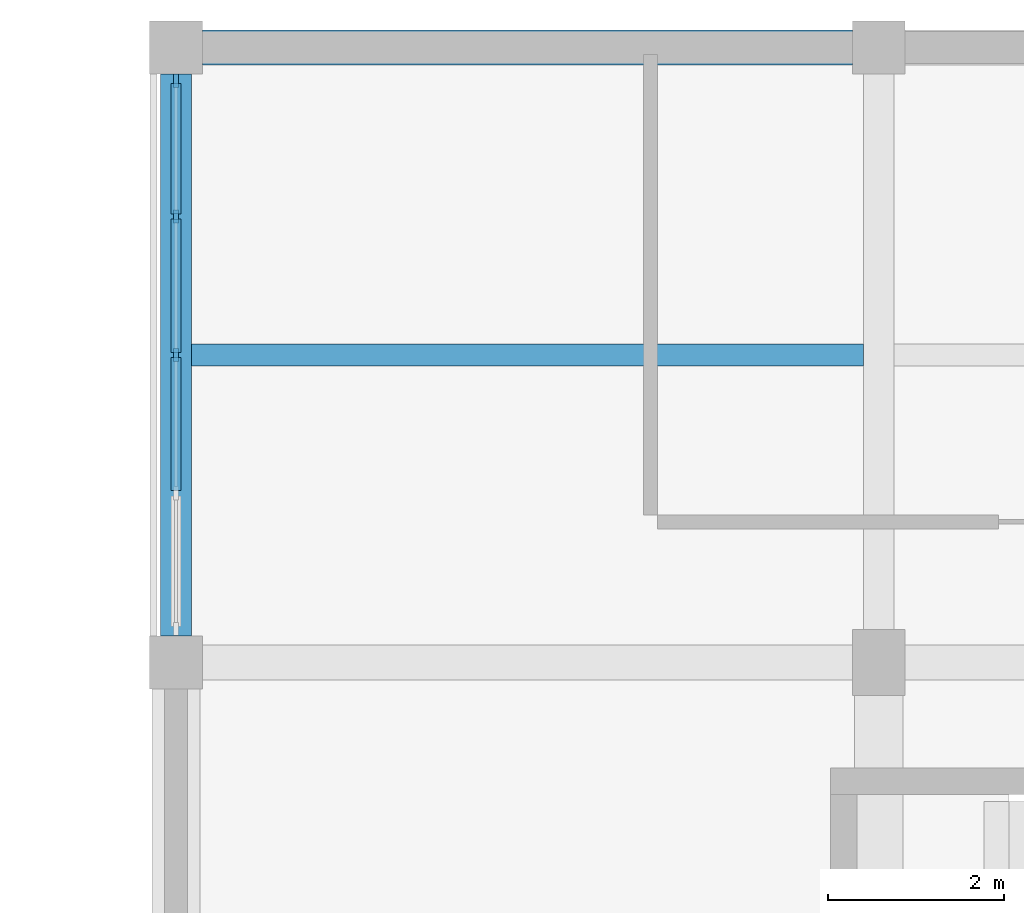
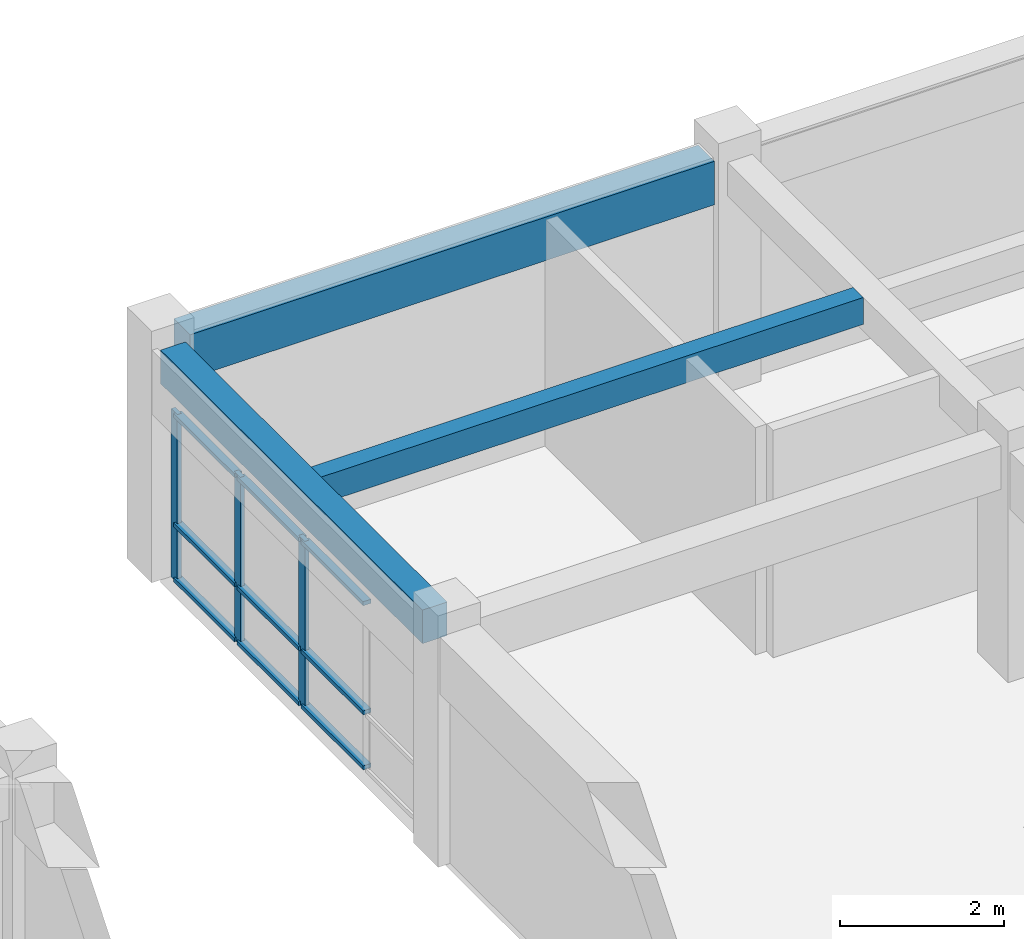
# One storey, part 14 of 33: 12 members, 3 beams, 1 element without a shape of its own.
"""IFC4 building model written with IfcOpenShell, lengths in metres."""

from ifc_helpers import new_model, si_unit, direction, frame, origin, origin_2d, place, context, subcontext, project, spatial, rectangle, extrude, material, layer, layer_set, material_profile, profile_set, type_object, element, aggregate, save


model = new_model("IFC4")

# Units and contexts
model_context = context("Model", 3, precision=1e-05, world=origin(), true_north=direction((0.0, 1.0)))
body_context = subcontext(model_context, "Body", "Model", "MODEL_VIEW")
ifc_project = project(units=[si_unit("LENGTHUNIT", "METRE"), si_unit("AREAUNIT", "SQUARE_METRE"), si_unit("VOLUMEUNIT", "CUBIC_METRE"), si_unit("PLANEANGLEUNIT", "RADIAN"), si_unit("MASSUNIT", "GRAM", prefix="KILO")], contexts=[model_context])

# Site, building, storey
site_placement = place(None, origin())
site = spatial("IfcSite", under=ifc_project, at=site_placement, CompositionType="ELEMENT")
building_placement = place(site_placement, origin())
building = spatial("IfcBuilding", under=site, at=building_placement, Name="Naurynzar Civic Courthouse", CompositionType="ELEMENT")
storey_placement = place(building_placement, frame((0.0, 0.0, 22.050048828125)))
storey = spatial("IfcBuildingStorey", under=building, at=storey_placement, Name="L06", CompositionType="ELEMENT", Elevation=22.050048828125)

# Beams
ifc_material_1 = material(Name="Concrete C40/50", Category="concrete")
ifc_material_profile_1 = material_profile(ifc_material_1, rectangle(XDim=0.25, YDim=0.39990234375, at=origin_2d()), Name="RCB 250x400")
ifc_profile_set_1 = profile_set([ifc_material_profile_1], Name="Concrete C40/50")
beam_type_1 = type_object("IfcBeamType", Name="BM-JST-250x400", PredefinedType="JOIST", material=ifc_profile_set_1)
beam_1_placement = place(storey_placement, frame((130.175048828125, 68.5, 3.22998046875), z_axis=(1.0, 0.0, 0.0), x_axis=(0.0, 1.0, 0.0)))
element("IfcBeam", 1, at=beam_1_placement, inside=storey, type_object=beam_type_1, Name="V5 secondary rib 2817 L06", PredefinedType="JOIST", context=body_context, shape_type="SweptSolid", body=[
    extrude(rectangle(XDim=0.25, YDim=0.39990234375, at=origin_2d()), origin(), (0.0, 0.0, 1.0), 7.64990234375),
])
ifc_material_2 = material(Name="Concrete C40/50", Category="concrete")
ifc_material_profile_2 = material_profile(ifc_material_2, rectangle(XDim=0.35009765625, YDim=0.5, at=origin_2d()), Name="RCB 350x500")
ifc_profile_set_2 = profile_set([ifc_material_profile_2], Name="Concrete C40/50")
beam_type_2 = type_object("IfcBeamType", Name="BM-RC-350x500", PredefinedType="BEAM", material=ifc_profile_set_2)
beam_2_placement = place(storey_placement, frame((130.0, 65.300048828125, 3.179931640625), z_axis=(0.0, 1.0, 0.0), x_axis=(-1.0, 0.0, 0.0)))
element("IfcBeam", 2, at=beam_2_placement, inside=storey, type_object=beam_type_2, Name="V5 girder Y-2766 L06", PredefinedType="BEAM", context=body_context, shape_type="SweptSolid", body=[
    extrude(rectangle(XDim=0.35009765625, YDim=0.5, at=origin_2d()), origin(), (0.0, 0.0, 1.0), 6.39990234375),
])
ifc_material_3 = material(Name="Concrete C40/50", Category="concrete")
ifc_material_profile_3 = material_profile(ifc_material_3, rectangle(XDim=0.39990234375, YDim=0.64990234375, at=origin_2d()), Name="RCB 400x650")
ifc_profile_set_3 = profile_set([ifc_material_profile_3], Name="Concrete C40/50")
beam_type_3 = type_object("IfcBeamType", Name="BM-RC-400x650", PredefinedType="BEAM", material=ifc_profile_set_3)
beam_3_placement = place(storey_placement, frame((130.300048828125, 72.0, 3.10498046875), z_axis=(1.0, 0.0, 0.0), x_axis=(0.0, 1.0, 0.0)))
element("IfcBeam", 3, at=beam_3_placement, inside=storey, type_object=beam_type_3, Name="V5 beam X-2755 L06", PredefinedType="BEAM", context=body_context, shape_type="SweptSolid", body=[
    extrude(rectangle(XDim=0.39990234375, YDim=0.64990234375, at=origin_2d()), origin(), (0.0, 0.0, 1.0), 7.39990234375),
])

# Curtain wall, members
ifc_material_4 = material(Name="Aluminium 6063-T6", Category="aluminium")
ifc_layer = layer(ifc_material_4, 0.179931640625)
ifc_layer_set = layer_set([ifc_layer], Name="CW-UNIT-1500")
curtain_wall_type = type_object("IfcCurtainWallType", Name="CW-UNIT-1500", PredefinedType="NOTDEFINED", material=ifc_layer_set)
curtain_wall_placement = place(storey_placement, origin())
curtain_wall = element("IfcCurtainWall", 4, at=curtain_wall_placement, inside=storey, type_object=curtain_wall_type, Name="V5 unitised curtain wall 109 L06", PredefinedType="NOTDEFINED")
ifc_material_5 = material(Name="Aluminium 6063-T6", Category="aluminium")
ifc_material_profile_4 = material_profile(ifc_material_5, rectangle(XDim=0.06005859375, YDim=0.14990234375, at=origin_2d()), Name="ALU MULLION 60x150")
ifc_profile_set_4 = profile_set([ifc_material_profile_4], Name="Aluminium 6063-T6")
member_type_1 = type_object("IfcMemberType", Name="CWM-60x150", PredefinedType="MULLION", material=ifc_profile_set_4)
member_1_placement = place(storey_placement, frame((130.0, 68.5, 0.0), z_axis=(0.0, 0.0, 1.0), x_axis=(-1.0, 0.0, 0.0)))
member_1 = element("IfcMember", 5, at=member_1_placement, type_object=member_type_1, Name="CW-01 mullion 3", PredefinedType="MULLION", context=body_context, shape_type="SweptSolid", body=[
    extrude(rectangle(XDim=0.06005859375, YDim=0.14990234375, at=origin_2d()), origin(), (0.0, 0.0, 1.0), 2.510009765625),
])
member_2_placement = place(storey_placement, frame((130.0, 70.074951171875, 0.0), z_axis=(0.0, 0.0, 1.0), x_axis=(-1.0, 0.0, 0.0)))
member_2 = element("IfcMember", 6, at=member_2_placement, type_object=member_type_1, Name="CW-01 mullion 4", PredefinedType="MULLION", context=body_context, shape_type="SweptSolid", body=[
    extrude(rectangle(XDim=0.06005859375, YDim=0.14990234375, at=origin_2d()), origin(), (0.0, 0.0, 1.0), 2.510009765625),
])
member_3_placement = place(storey_placement, frame((130.0, 71.6201171875, 0.0), z_axis=(0.0, 0.0, 1.0), x_axis=(-1.0, 0.0, 0.0)))
member_3 = element("IfcMember", 7, at=member_3_placement, type_object=member_type_1, Name="CW-01 mullion 5", PredefinedType="MULLION", context=body_context, shape_type="SweptSolid", body=[
    extrude(rectangle(XDim=0.06005859375, YDim=0.14990234375, at=origin_2d()), origin(), (0.0, 0.0, 1.0), 2.510009765625),
])
ifc_material_6 = material(Name="Aluminium 6063-T6", Category="aluminium")
ifc_material_profile_5 = material_profile(ifc_material_6, rectangle(XDim=0.110107421875, YDim=0.06005859375, at=origin_2d()), Name="ALU TRANSOM 60x110")
ifc_profile_set_5 = profile_set([ifc_material_profile_5], Name="Aluminium 6063-T6")
member_type_2 = type_object("IfcMemberType", Name="CWT-60x110", PredefinedType="USERDEFINED", material=ifc_profile_set_5)
member_4_placement = place(storey_placement, frame((130.0, 66.955078125, 0.030029296875), z_axis=(0.0, 1.0, 0.0), x_axis=(-1.0, 0.0, 0.0)))
member_4 = element("IfcMember", 8, at=member_4_placement, type_object=member_type_2, Name="CW-01 transom 2.1", ObjectType="TRANSOM", PredefinedType="USERDEFINED", context=body_context, shape_type="SweptSolid", body=[
    extrude(rectangle(XDim=0.110107421875, YDim=0.06005859375, at=origin_2d()), origin(), (0.0, 0.0, 1.0), 1.514892578125),
])
member_5_placement = place(storey_placement, frame((130.0, 66.955078125, 0.849853515625), z_axis=(0.0, 1.0, 0.0), x_axis=(-1.0, 0.0, 0.0)))
member_5 = element("IfcMember", 9, at=member_5_placement, type_object=member_type_2, Name="CW-01 transom 2.2", ObjectType="TRANSOM", PredefinedType="USERDEFINED", context=body_context, shape_type="SweptSolid", body=[
    extrude(rectangle(XDim=0.110107421875, YDim=0.06005859375, at=origin_2d()), origin(), (0.0, 0.0, 1.0), 1.514892578125),
])
member_6_placement = place(storey_placement, frame((130.0, 66.955078125, 2.47998046875), z_axis=(0.0, 1.0, 0.0), x_axis=(-1.0, 0.0, 0.0)))
member_6 = element("IfcMember", 10, at=member_6_placement, type_object=member_type_2, Name="CW-01 transom 2.3", ObjectType="TRANSOM", PredefinedType="USERDEFINED", context=body_context, shape_type="SweptSolid", body=[
    extrude(rectangle(XDim=0.110107421875, YDim=0.06005859375, at=origin_2d()), origin(), (0.0, 0.0, 1.0), 1.514892578125),
])
member_7_placement = place(storey_placement, frame((130.0, 68.530029296875, 0.030029296875), z_axis=(0.0, 1.0, 0.0), x_axis=(-1.0, 0.0, 0.0)))
member_7 = element("IfcMember", 11, at=member_7_placement, type_object=member_type_2, Name="CW-01 transom 3.1", ObjectType="TRANSOM", PredefinedType="USERDEFINED", context=body_context, shape_type="SweptSolid", body=[
    extrude(rectangle(XDim=0.110107421875, YDim=0.06005859375, at=origin_2d()), origin(), (0.0, 0.0, 1.0), 1.514892578125),
])
member_8_placement = place(storey_placement, frame((130.0, 68.530029296875, 0.849853515625), z_axis=(0.0, 1.0, 0.0), x_axis=(-1.0, 0.0, 0.0)))
member_8 = element("IfcMember", 12, at=member_8_placement, type_object=member_type_2, Name="CW-01 transom 3.2", ObjectType="TRANSOM", PredefinedType="USERDEFINED", context=body_context, shape_type="SweptSolid", body=[
    extrude(rectangle(XDim=0.110107421875, YDim=0.06005859375, at=origin_2d()), origin(), (0.0, 0.0, 1.0), 1.514892578125),
])
member_9_placement = place(storey_placement, frame((130.0, 68.530029296875, 2.47998046875), z_axis=(0.0, 1.0, 0.0), x_axis=(-1.0, 0.0, 0.0)))
member_9 = element("IfcMember", 13, at=member_9_placement, type_object=member_type_2, Name="CW-01 transom 3.3", ObjectType="TRANSOM", PredefinedType="USERDEFINED", context=body_context, shape_type="SweptSolid", body=[
    extrude(rectangle(XDim=0.110107421875, YDim=0.06005859375, at=origin_2d()), origin(), (0.0, 0.0, 1.0), 1.514892578125),
])
member_10_placement = place(storey_placement, frame((130.0, 70.10498046875, 0.030029296875), z_axis=(0.0, 1.0, 0.0), x_axis=(-1.0, 0.0, 0.0)))
member_10 = element("IfcMember", 14, at=member_10_placement, type_object=member_type_2, Name="CW-01 transom 4.1", ObjectType="TRANSOM", PredefinedType="USERDEFINED", context=body_context, shape_type="SweptSolid", body=[
    extrude(rectangle(XDim=0.110107421875, YDim=0.06005859375, at=origin_2d()), origin(), (0.0, 0.0, 1.0), 1.485107421875),
])
member_11_placement = place(storey_placement, frame((130.0, 70.10498046875, 0.849853515625), z_axis=(0.0, 1.0, 0.0), x_axis=(-1.0, 0.0, 0.0)))
member_11 = element("IfcMember", 15, at=member_11_placement, type_object=member_type_2, Name="CW-01 transom 4.2", ObjectType="TRANSOM", PredefinedType="USERDEFINED", context=body_context, shape_type="SweptSolid", body=[
    extrude(rectangle(XDim=0.110107421875, YDim=0.06005859375, at=origin_2d()), origin(), (0.0, 0.0, 1.0), 1.485107421875),
])
member_12_placement = place(storey_placement, frame((130.0, 70.10498046875, 2.47998046875), z_axis=(0.0, 1.0, 0.0), x_axis=(-1.0, 0.0, 0.0)))
member_12 = element("IfcMember", 16, at=member_12_placement, type_object=member_type_2, Name="CW-01 transom 4.3", ObjectType="TRANSOM", PredefinedType="USERDEFINED", context=body_context, shape_type="SweptSolid", body=[
    extrude(rectangle(XDim=0.110107421875, YDim=0.06005859375, at=origin_2d()), origin(), (0.0, 0.0, 1.0), 1.485107421875),
])
aggregate(curtain_wall, [member_1, member_2, member_3, member_4, member_5, member_6, member_7, member_8, member_9, member_10, member_11, member_12])

save(model, "model.ifc")
